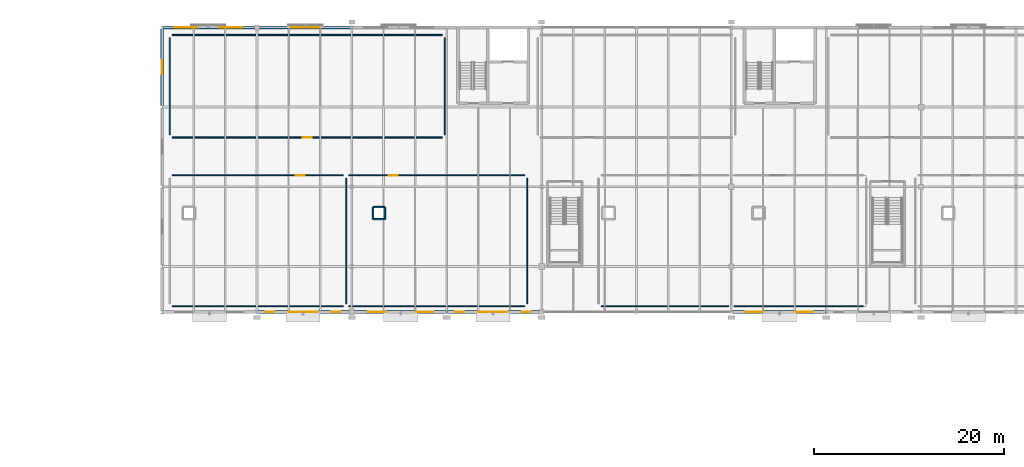
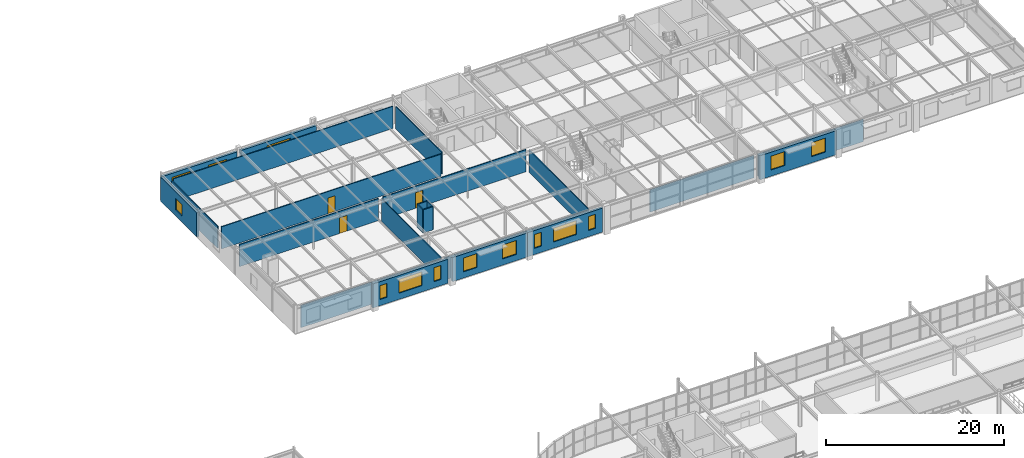
# One storey, part 79 of 98: 23 walls, 14 windows, 3 doors, 17 openings.
"""IFC4 building model written with IfcOpenShell, lengths in metres."""

from ifc_helpers import new_model, si_unit, derived_unit, direction, frame, frame_2d, origin, place, context, subcontext, project, spatial, rectangle, extrude, material, layer, layer_set, type_object, element, fill, save


model = new_model("IFC4")

# Units and contexts
model_context = context("Model", 3, precision=1e-05, world=origin(), true_north=direction((0.0, 1.0)))
body_context = subcontext(model_context, "Body", "Model", "MODEL_VIEW")
ifc_project = project(units=[si_unit("LENGTHUNIT", "METRE"), si_unit("AREAUNIT", "SQUARE_METRE"), si_unit("VOLUMEUNIT", "CUBIC_METRE"), si_unit("PLANEANGLEUNIT", "RADIAN"), si_unit("MASSUNIT", "GRAM", prefix="KILO"), derived_unit("THERMALTRANSMITTANCEUNIT", [(si_unit("POWERUNIT", "WATT"), 1), (si_unit("LENGTHUNIT", "METRE"), -2), (si_unit("THERMODYNAMICTEMPERATUREUNIT", "KELVIN"), -1)])], contexts=[model_context])

# Site, building, storey
site_placement = place(None, origin())
site = spatial("IfcSite", under=ifc_project, at=site_placement, CompositionType="ELEMENT")
building_placement = place(site_placement, origin())
building = spatial("IfcBuilding", under=site, at=building_placement, Name="Cinnabar Yard Market Hall", CompositionType="ELEMENT")
storey_placement = place(building_placement, frame((0.0, 0.0, 4.5)))
storey = spatial("IfcBuildingStorey", under=building, at=storey_placement, Name="L01", CompositionType="ELEMENT", Elevation=4.5)

# Walls
ifc_material_1 = material(Name="Acoustic steel-stud plasterboard", Category="steel")
ifc_layer_1 = layer(ifc_material_1, 0.1201171875)
ifc_layer_set_1 = layer_set([ifc_layer_1], Name="Acoustic steel-stud plasterboard")
wall_type_1 = type_object("IfcWallType", Name="WL-PT120", PredefinedType="PARTITIONING", material=ifc_layer_set_1)
wall_1_placement = place(storey_placement, frame((67.080078125, 108.60009765625, 0.0), z_axis=(0.0, 0.0, 1.0), x_axis=(1.0, 0.0, 0.0)))
element("IfcWall", 1, at=wall_1_placement, inside=storey, type_object=wall_type_1, Name="Partition Chocolate and Confectionery Studio 101 south", PredefinedType="PARTITIONING", context=body_context, shape_type="SweptSolid", body=[
    extrude(rectangle(XDim=18.0400390625, YDim=0.1201171875, at=frame_2d((9.02001953125, 0.0), x_axis=(1.0, 0.0))), origin(), (0.0, 0.0, 1.0), 3.030029296875),
])
wall_2_placement = place(storey_placement, frame((85.39990234375, 108.8798828125, 0.0), z_axis=(0.0, 0.0, 1.0), x_axis=(0.0, 1.0, 0.0)))
element("IfcWall", 2, at=wall_2_placement, inside=storey, type_object=wall_type_1, Name="Partition Chocolate and Confectionery Studio 101 east", PredefinedType="PARTITIONING", context=body_context, shape_type="SweptSolid", body=[
    extrude(rectangle(XDim=13.240234375, YDim=0.1201171875, at=frame_2d((6.6201171875, 0.0), x_axis=(1.0, 0.0))), origin(), (0.0, 0.0, 1.0), 3.030029296875),
])

# Wall, opening, door
wall_3_placement = place(storey_placement, frame((85.1201171875, 122.39990234375, 0.0), z_axis=(0.0, 0.0, 1.0), x_axis=(-1.0, 0.0, 0.0)))
wall_3 = element("IfcWall", 3, at=wall_3_placement, inside=storey, type_object=wall_type_1, Name="Partition Chocolate and Confectionery Studio 101 north", PredefinedType="PARTITIONING", context=body_context, shape_type="SweptSolid", body=[
    extrude(rectangle(XDim=18.0400390625, YDim=0.1201171875, at=frame_2d((9.02001953125, 0.0), x_axis=(1.0, 0.0))), origin(), (0.0, 0.0, 1.0), 3.030029296875),
])
opening_1_placement = place(wall_3_placement, frame((4.1015625, 0.0, 0.0)))
opening_1 = element("IfcOpeningElement", 4, at=opening_1_placement, cuts=wall_3, Name="Opening ID-152", PredefinedType="OPENING", context=body_context, shape_type="SweptSolid", body=[
    extrude(rectangle(XDim=0.949951171875, YDim=2.14990234375, at=frame_2d((0.47509765625, 1.074951171875), x_axis=(1.0, 0.0))), frame((0.0, 0.070068359375, 0.0), z_axis=(0.0, -1.0, 0.0), x_axis=(1.0, 0.0, 0.0)), (0.0, 0.0, 1.0), 0.14013671875),
])
ifc_material_2 = material(Name="Solid-core spotted gum timber", Category="wood")
door_type_1 = type_object("IfcDoorType", Name="DR-D06", OperationType="NOTDEFINED", PredefinedType="DOOR", material=ifc_material_2)
door_1_placement = place(opening_1_placement, origin())
door_1 = element("IfcDoor", 5, at=door_1_placement, inside=storey, type_object=door_type_1, Name="Interior Door ID-152", OperationType="SINGLE_SWING_LEFT", OverallHeight=2.14990234375, OverallWidth=0.949951171875, PredefinedType="DOOR", context=body_context, shape_type="SweptSolid", body=[
    extrude(rectangle(XDim=0.949951171875, YDim=2.14990234375, at=frame_2d((0.47509765625, 1.074951171875), x_axis=(1.0, 0.0))), frame((0.0, 0.02490234375, 0.0), z_axis=(0.0, -1.0, 0.0), x_axis=(1.0, 0.0, 0.0)), (0.0, 0.0, 1.0), 0.050048828125),
])
fill(opening_1, door_1)

# Walls
wall_4_placement = place(storey_placement, frame((85.679931640625, 108.60009765625, 0.0), z_axis=(0.0, 0.0, 1.0), x_axis=(1.0, 0.0, 0.0)))
element("IfcWall", 6, at=wall_4_placement, inside=storey, type_object=wall_type_1, Name="Partition Artisan Cheese Ripening Studio 102 south", PredefinedType="PARTITIONING", context=body_context, shape_type="SweptSolid", body=[
    extrude(rectangle(XDim=18.5400390625, YDim=0.1201171875, at=frame_2d((9.27001953125, 0.0), x_axis=(1.0, 0.0))), origin(), (0.0, 0.0, 1.0), 3.030029296875),
])
wall_5_placement = place(storey_placement, frame((104.5, 108.8798828125, 0.0), z_axis=(0.0, 0.0, 1.0), x_axis=(0.0, 1.0, 0.0)))
element("IfcWall", 7, at=wall_5_placement, inside=storey, type_object=wall_type_1, Name="Partition Artisan Cheese Ripening Studio 102 east", PredefinedType="PARTITIONING", context=body_context, shape_type="SweptSolid", body=[
    extrude(rectangle(XDim=13.240234375, YDim=0.1201171875, at=frame_2d((6.6201171875, 0.0), x_axis=(1.0, 0.0))), origin(), (0.0, 0.0, 1.0), 3.030029296875),
])

# Wall, opening, door
wall_6_placement = place(storey_placement, frame((104.219970703125, 122.39990234375, 0.0), z_axis=(0.0, 0.0, 1.0), x_axis=(-1.0, 0.0, 0.0)))
wall_6 = element("IfcWall", 8, at=wall_6_placement, inside=storey, type_object=wall_type_1, Name="Partition Artisan Cheese Ripening Studio 102 north", PredefinedType="PARTITIONING", context=body_context, shape_type="SweptSolid", body=[
    extrude(rectangle(XDim=18.5400390625, YDim=0.1201171875, at=frame_2d((9.27001953125, 0.0), x_axis=(1.0, 0.0))), origin(), (0.0, 0.0, 1.0), 3.030029296875),
])
opening_2_placement = place(wall_6_placement, frame((13.39111328125, 0.0, 0.0)))
opening_2 = element("IfcOpeningElement", 9, at=opening_2_placement, cuts=wall_6, Name="Opening ID-153", PredefinedType="OPENING", context=body_context, shape_type="SweptSolid", body=[
    extrude(rectangle(XDim=0.919921875, YDim=2.14990234375, at=frame_2d((0.4599609375, 1.074951171875), x_axis=(1.0, 0.0))), frame((0.0, 0.070068359375, 0.0), z_axis=(0.0, -1.0, 0.0), x_axis=(1.0, 0.0, 0.0)), (0.0, 0.0, 1.0), 0.14013671875),
])
door_type_2 = type_object("IfcDoorType", Name="DR-D07", OperationType="NOTDEFINED", PredefinedType="DOOR", material=ifc_material_2)
door_2_placement = place(opening_2_placement, origin())
door_2 = element("IfcDoor", 10, at=door_2_placement, inside=storey, type_object=door_type_2, Name="Interior Door ID-153", OperationType="SINGLE_SWING_RIGHT", OverallHeight=2.14990234375, OverallWidth=0.919921875, PredefinedType="DOOR", context=body_context, shape_type="SweptSolid", body=[
    extrude(rectangle(XDim=0.919921875, YDim=2.14990234375, at=frame_2d((0.4599609375, 1.074951171875), x_axis=(1.0, 0.0))), frame((0.0, 0.02490234375, 0.0), z_axis=(0.0, -1.0, 0.0), x_axis=(1.0, 0.0, 0.0)), (0.0, 0.0, 1.0), 0.050048828125),
])
fill(opening_2, door_2)

# Walls
wall_7_placement = place(storey_placement, frame((112.280029296875, 108.60009765625, 0.0), z_axis=(0.0, 0.0, 1.0), x_axis=(1.0, 0.0, 0.0)))
element("IfcWall", 11, at=wall_7_placement, inside=storey, type_object=wall_type_1, Name="Partition Charcuterie Craft Studio 103 south", PredefinedType="PARTITIONING", context=body_context, shape_type="SweptSolid", body=[
    extrude(rectangle(XDim=13.43994140625, YDim=0.1201171875, at=frame_2d((6.719970703125, 0.0), x_axis=(1.0, 0.0))), origin(), (0.0, 0.0, 1.0), 3.030029296875),
])
wall_8_placement = place(storey_placement, frame((126.280029296875, 108.60009765625, 0.0), z_axis=(0.0, 0.0, 1.0), x_axis=(1.0, 0.0, 0.0)))
element("IfcWall", 12, at=wall_8_placement, inside=storey, type_object=wall_type_1, Name="Partition Regional Wine and Cider Tasting Room 104 south", PredefinedType="PARTITIONING", context=body_context, shape_type="SweptSolid", body=[
    extrude(rectangle(XDim=13.639892578125, YDim=0.1201171875, at=frame_2d((6.81982421875, 0.0), x_axis=(1.0, 0.0))), origin(), (0.0, 0.0, 1.0), 3.030029296875),
])

# Wall, opening, door
wall_9_placement = place(storey_placement, frame((67.080078125, 126.39990234375, 0.0), z_axis=(0.0, 0.0, 1.0), x_axis=(1.0, 0.0, 0.0)))
wall_9 = element("IfcWall", 13, at=wall_9_placement, inside=storey, type_object=wall_type_1, Name="Partition Trader Incubation Workshop 106 south", PredefinedType="PARTITIONING", context=body_context, shape_type="SweptSolid", body=[
    extrude(rectangle(XDim=28.43994140625, YDim=0.1201171875, at=frame_2d((14.219970703125, 0.0), x_axis=(1.0, 0.0))), origin(), (0.0, 0.0, 1.0), 3.030029296875),
])
opening_3_placement = place(wall_9_placement, frame((13.760009765625, 0.0, 0.0)))
opening_3 = element("IfcOpeningElement", 14, at=opening_3_placement, cuts=wall_9, Name="Opening ID-157", PredefinedType="OPENING", context=body_context, shape_type="SweptSolid", body=[
    extrude(rectangle(XDim=0.919921875, YDim=2.14990234375, at=frame_2d((0.4599609375, 1.074951171875), x_axis=(1.0, 0.0))), frame((0.0, 0.070068359375, 0.0), z_axis=(0.0, -1.0, 0.0), x_axis=(1.0, 0.0, 0.0)), (0.0, 0.0, 1.0), 0.14013671875),
])
door_3_placement = place(opening_3_placement, origin())
door_3 = element("IfcDoor", 15, at=door_3_placement, inside=storey, type_object=door_type_2, Name="Interior Door ID-157", OperationType="SINGLE_SWING_RIGHT", OverallHeight=2.14990234375, OverallWidth=0.919921875, PredefinedType="DOOR", context=body_context, shape_type="SweptSolid", body=[
    extrude(rectangle(XDim=0.919921875, YDim=2.14990234375, at=frame_2d((0.4599609375, 1.074951171875), x_axis=(1.0, 0.0))), frame((0.0, 0.02490234375, 0.0), z_axis=(0.0, -1.0, 0.0), x_axis=(1.0, 0.0, 0.0)), (0.0, 0.0, 1.0), 0.050048828125),
])
fill(opening_3, door_3)

# Walls
wall_10_placement = place(storey_placement, frame((95.800048828125, 126.679931640625, 0.0), z_axis=(0.0, 0.0, 1.0), x_axis=(0.0, 1.0, 0.0)))
element("IfcWall", 16, at=wall_10_placement, inside=storey, type_object=wall_type_1, Name="Partition Trader Incubation Workshop 106 east", PredefinedType="PARTITIONING", context=body_context, shape_type="SweptSolid", body=[
    extrude(rectangle(XDim=10.239990234375, YDim=0.1201171875, at=frame_2d((5.1201171875, 0.0), x_axis=(1.0, 0.0))), origin(), (0.0, 0.0, 1.0), 3.030029296875),
])
wall_11_placement = place(storey_placement, frame((95.52001953125, 137.199951171875, 0.0), z_axis=(0.0, 0.0, 1.0), x_axis=(-1.0, 0.0, 0.0)))
element("IfcWall", 17, at=wall_11_placement, inside=storey, type_object=wall_type_1, Name="Partition Trader Incubation Workshop 106 north", PredefinedType="PARTITIONING", context=body_context, shape_type="SweptSolid", body=[
    extrude(rectangle(XDim=28.43994140625, YDim=0.1201171875, at=frame_2d((14.219970703125, 0.0), x_axis=(1.0, 0.0))), origin(), (0.0, 0.0, 1.0), 3.030029296875),
])
wall_12_placement = place(storey_placement, frame((66.800048828125, 136.919921875, 0.0), z_axis=(0.0, 0.0, 1.0), x_axis=(0.0, -1.0, 0.0)))
element("IfcWall", 18, at=wall_12_placement, inside=storey, type_object=wall_type_1, Name="Partition Trader Incubation Workshop 106 west", PredefinedType="PARTITIONING", context=body_context, shape_type="SweptSolid", body=[
    extrude(rectangle(XDim=10.239990234375, YDim=0.1201171875, at=frame_2d((5.1201171875, 0.0), x_axis=(1.0, 0.0))), origin(), (0.0, 0.0, 1.0), 3.030029296875),
])
ifc_material_3 = material(Name="Fire-rated steel-stud plasterboard", Category="steel")
ifc_layer_2 = layer(ifc_material_3, 0.14990234375)
ifc_layer_set_2 = layer_set([ifc_layer_2], Name="Fire-rated steel-stud plasterboard")
wall_type_2 = type_object("IfcWallType", Name="WL-PT150", PredefinedType="PARTITIONING", material=ifc_layer_set_2)
for number, where, z_axis, x_axis, name in (
    (19, (88.239990234375, 117.800048828125, 0.0), (0.0, 0.0, 1.0), (1.0, 0.0, 0.0), "Service Shaft Wall L01-2-1"),
    (20, (89.489990234375, 117.800048828125, 0.0), (0.0, 0.0, 1.0), (0.0, 1.0, 0.0), "Service Shaft Wall L01-2-2"),
    (21, (89.489990234375, 119.050048828125, 0.0), (0.0, 0.0, 1.0), (-1.0, 0.0, 0.0), "Service Shaft Wall L01-2-3"),
    (22, (88.239990234375, 119.050048828125, 0.0), (0.0, 0.0, 1.0), (0.0, -1.0, 0.0), "Service Shaft Wall L01-2-4"),
):
    element("IfcWall", number, at=place(storey_placement, frame(where, z_axis=z_axis, x_axis=x_axis)), inside=storey, type_object=wall_type_2, Name=name, PredefinedType="PARTITIONING", context=body_context, shape_type="SweptSolid", body=[
        extrude(rectangle(XDim=1.25, YDim=0.14990234375, at=frame_2d((0.625, 0.0), x_axis=(1.0, 0.0))), origin(), (0.0, 0.0, 1.0), 3.169921875),
    ])

# Wall, openings, windows
ifc_material_4 = material(Name="Cream limestone and Concrete 32 MPa", Category="masonry")
ifc_layer_3 = layer(ifc_material_4, 0.320068359375)
ifc_layer_set_3 = layer_set([ifc_layer_3], Name="Cream limestone and Concrete 32 MPa")
wall_type_3 = type_object("IfcWallType", Name="WL-W-EXT2", PredefinedType="SOLIDWALL", material=ifc_layer_set_3)
wall_13_placement = place(storey_placement, frame((75.74609375, 138.0, 0.0), z_axis=(0.0, 0.0, 1.0), x_axis=(-1.0, 0.0, 0.0)))
wall_13 = element("IfcWall", 23, at=wall_13_placement, inside=storey, type_object=wall_type_3, Name="Wing North Wall L01 Bay 1", PredefinedType="SOLIDWALL", context=body_context, shape_type="SweptSolid", body=[
    extrude(rectangle(XDim=9.736083984375, YDim=0.320068359375, at=frame_2d((4.8681640625, 0.0), x_axis=(1.0, 0.0))), origin(), (0.0, 0.0, 1.0), 3.2900390625),
])
opening_4_placement = place(wall_13_placement, frame((1.300048828125, 0.0, 0.85009765625)))
opening_4 = element("IfcOpeningElement", 24, at=opening_4_placement, cuts=wall_13, Name="Opening W08", PredefinedType="OPENING", context=body_context, shape_type="SweptSolid", body=[
    extrude(rectangle(XDim=2.39990234375, YDim=1.89990234375, at=frame_2d((1.199951171875, 0.949951171875), x_axis=(1.0, 0.0))), frame((0.0, 0.169921875, 0.0), z_axis=(0.0, -1.0, 0.0), x_axis=(1.0, 0.0, 0.0)), (0.0, 0.0, 1.0), 0.340087890625),
])
opening_5_placement = place(wall_13_placement, frame((6.035888671875, 0.0, 0.85009765625)))
opening_5 = element("IfcOpeningElement", 25, at=opening_5_placement, cuts=wall_13, Name="Opening W08", PredefinedType="OPENING", context=body_context, shape_type="SweptSolid", body=[
    extrude(rectangle(XDim=2.39990234375, YDim=1.89990234375, at=frame_2d((1.199951171875, 0.949951171875), x_axis=(1.0, 0.0))), frame((0.0, 0.169921875, 0.0), z_axis=(0.0, -1.0, 0.0), x_axis=(1.0, 0.0, 0.0)), (0.0, 0.0, 1.0), 0.340087890625),
])
ifc_material_5 = material(Name="Low-E double glazing in bronze aluminium", Category="aluminium")
window_type_1 = type_object("IfcWindowType", Name="WN-W08", PartitioningType="SINGLE_PANEL", PredefinedType="WINDOW", material=ifc_material_5)
window_1_placement = place(opening_4_placement, origin())
window_1 = element("IfcWindow", 26, at=window_1_placement, inside=storey, type_object=window_type_1, Name="Window WN-V3N-L01-1A", OverallHeight=1.89990234375, OverallWidth=2.39990234375, PartitioningType="SINGLE_PANEL", PredefinedType="WINDOW", context=body_context, shape_type="SweptSolid", body=[
    extrude(rectangle(XDim=2.39990234375, YDim=1.89990234375, at=frame_2d((1.199951171875, 0.949951171875), x_axis=(1.0, 0.0))), frame((0.0, 0.030029296875, 0.0), z_axis=(0.0, -1.0, 0.0), x_axis=(1.0, 0.0, 0.0)), (0.0, 0.0, 1.0), 0.06005859375),
])
fill(opening_4, window_1)
window_2_placement = place(opening_5_placement, origin())
window_2 = element("IfcWindow", 27, at=window_2_placement, inside=storey, type_object=window_type_1, Name="Window WN-V3N-L01-1B", OverallHeight=1.89990234375, OverallWidth=2.39990234375, PartitioningType="SINGLE_PANEL", PredefinedType="WINDOW", context=body_context, shape_type="SweptSolid", body=[
    extrude(rectangle(XDim=2.39990234375, YDim=1.89990234375, at=frame_2d((1.199951171875, 0.949951171875), x_axis=(1.0, 0.0))), frame((0.0, 0.030029296875, 0.0), z_axis=(0.0, -1.0, 0.0), x_axis=(1.0, 0.0, 0.0)), (0.0, 0.0, 1.0), 0.06005859375),
])
fill(opening_5, window_2)

wall_14_placement = place(storey_placement, frame((76.010009765625, 108.0, 0.0), z_axis=(0.0, 0.0, 1.0), x_axis=(1.0, 0.0, 0.0)))
wall_14 = element("IfcWall", 28, at=wall_14_placement, inside=storey, type_object=wall_type_3, Name="Wing South Wall L01 Bay 2", PredefinedType="SOLIDWALL", context=body_context, shape_type="SweptSolid", body=[
    extrude(rectangle(XDim=9.68603515625, YDim=0.320068359375, at=frame_2d((4.843017578125, 0.0), x_axis=(1.0, 0.0))), origin(), (0.0, 0.0, 1.0), 3.2900390625),
])
opening_6_placement = place(wall_14_placement, frame((3.343017578125, 0.0, 0.85009765625)))
opening_6 = element("IfcOpeningElement", 29, at=opening_6_placement, cuts=wall_14, Name="Opening W09", PredefinedType="OPENING", context=body_context, shape_type="SweptSolid", body=[
    extrude(rectangle(XDim=3.0, YDim=1.89990234375, at=frame_2d((1.5, 0.949951171875), x_axis=(1.0, 0.0))), frame((0.0, 0.169921875, 0.0), z_axis=(0.0, -1.0, 0.0), x_axis=(1.0, 0.0, 0.0)), (0.0, 0.0, 1.0), 0.340087890625),
])
opening_7_placement = place(wall_14_placement, frame((0.89990234375, 0.0, 0.85009765625)))
opening_7 = element("IfcOpeningElement", 30, at=opening_7_placement, cuts=wall_14, Name="Opening W10", PredefinedType="OPENING", context=body_context, shape_type="SweptSolid", body=[
    extrude(rectangle(XDim=0.89990234375, YDim=1.89990234375, at=frame_2d((0.449951171875, 0.949951171875), x_axis=(1.0, 0.0))), frame((0.0, 0.169921875, 0.0), z_axis=(0.0, -1.0, 0.0), x_axis=(1.0, 0.0, 0.0)), (0.0, 0.0, 1.0), 0.340087890625),
])
opening_8_placement = place(wall_14_placement, frame((7.885986328125, 0.0, 0.85009765625)))
opening_8 = element("IfcOpeningElement", 31, at=opening_8_placement, cuts=wall_14, Name="Opening W10", PredefinedType="OPENING", context=body_context, shape_type="SweptSolid", body=[
    extrude(rectangle(XDim=0.89990234375, YDim=1.89990234375, at=frame_2d((0.449951171875, 0.949951171875), x_axis=(1.0, 0.0))), frame((0.0, 0.169921875, 0.0), z_axis=(0.0, -1.0, 0.0), x_axis=(1.0, 0.0, 0.0)), (0.0, 0.0, 1.0), 0.340087890625),
])
ifc_material_6 = material(Name="Solar-control double glazing in bronze aluminium", Category="aluminium")
window_type_2 = type_object("IfcWindowType", Name="WN-W09", PartitioningType="SINGLE_PANEL", PredefinedType="WINDOW", material=ifc_material_6)
window_3_placement = place(opening_6_placement, origin())
window_3 = element("IfcWindow", 32, at=window_3_placement, inside=storey, type_object=window_type_2, Name="Window WN-V3S-L01-2M", OverallHeight=1.89990234375, OverallWidth=3.0, PartitioningType="SINGLE_PANEL", PredefinedType="WINDOW", context=body_context, shape_type="SweptSolid", body=[
    extrude(rectangle(XDim=3.0, YDim=1.89990234375, at=frame_2d((1.5, 0.949951171875), x_axis=(1.0, 0.0))), frame((0.0, 0.030029296875, 0.0), z_axis=(0.0, -1.0, 0.0), x_axis=(1.0, 0.0, 0.0)), (0.0, 0.0, 1.0), 0.06005859375),
])
fill(opening_6, window_3)
ifc_material_7 = material(Name="Narrow Mughal lancet glazing in bronze aluminium", Category="aluminium")
window_type_3 = type_object("IfcWindowType", Name="WN-W10", PartitioningType="SINGLE_PANEL", PredefinedType="WINDOW", material=ifc_material_7)
window_4_placement = place(opening_7_placement, origin())
window_4 = element("IfcWindow", 33, at=window_4_placement, inside=storey, type_object=window_type_3, Name="Window WN-V3S-L01-2L", OverallHeight=1.89990234375, OverallWidth=0.89990234375, PartitioningType="SINGLE_PANEL", PredefinedType="WINDOW", context=body_context, shape_type="SweptSolid", body=[
    extrude(rectangle(XDim=0.89990234375, YDim=1.89990234375, at=frame_2d((0.449951171875, 0.949951171875), x_axis=(1.0, 0.0))), frame((0.0, 0.030029296875, 0.0), z_axis=(0.0, -1.0, 0.0), x_axis=(1.0, 0.0, 0.0)), (0.0, 0.0, 1.0), 0.06005859375),
])
fill(opening_7, window_4)
window_5_placement = place(opening_8_placement, origin())
window_5 = element("IfcWindow", 34, at=window_5_placement, inside=storey, type_object=window_type_3, Name="Window WN-V3S-L01-2R", OverallHeight=1.89990234375, OverallWidth=0.89990234375, PartitioningType="SINGLE_PANEL", PredefinedType="WINDOW", context=body_context, shape_type="SweptSolid", body=[
    extrude(rectangle(XDim=0.89990234375, YDim=1.89990234375, at=frame_2d((0.449951171875, 0.949951171875), x_axis=(1.0, 0.0))), frame((0.0, 0.030029296875, 0.0), z_axis=(0.0, -1.0, 0.0), x_axis=(1.0, 0.0, 0.0)), (0.0, 0.0, 1.0), 0.06005859375),
])
fill(opening_8, window_5)

# Wall, opening, window
wall_15_placement = place(storey_placement, frame((85.989990234375, 138.0, 0.0), z_axis=(0.0, 0.0, 1.0), x_axis=(-1.0, 0.0, 0.0)))
wall_15 = element("IfcWall", 35, at=wall_15_placement, inside=storey, type_object=wall_type_3, Name="Wing North Wall L01 Bay 2", PredefinedType="SOLIDWALL", context=body_context, shape_type="SweptSolid", body=[
    extrude(rectangle(XDim=9.736083984375, YDim=0.320068359375, at=frame_2d((4.8681640625, 0.0), x_axis=(1.0, 0.0))), origin(), (0.0, 0.0, 1.0), 3.2900390625),
])
opening_9_placement = place(wall_15_placement, frame((3.367919921875, 0.0, 0.85009765625)))
opening_9 = element("IfcOpeningElement", 36, at=opening_9_placement, cuts=wall_15, Name="Opening W09", PredefinedType="OPENING", context=body_context, shape_type="SweptSolid", body=[
    extrude(rectangle(XDim=3.0, YDim=1.89990234375, at=frame_2d((1.5, 0.949951171875), x_axis=(1.0, 0.0))), frame((0.0, 0.169921875, 0.0), z_axis=(0.0, -1.0, 0.0), x_axis=(1.0, 0.0, 0.0)), (0.0, 0.0, 1.0), 0.340087890625),
])
window_6_placement = place(opening_9_placement, origin())
window_6 = element("IfcWindow", 37, at=window_6_placement, inside=storey, type_object=window_type_2, Name="Window WN-V3N-L01-2M", OverallHeight=1.89990234375, OverallWidth=3.0, PartitioningType="SINGLE_PANEL", PredefinedType="WINDOW", context=body_context, shape_type="SweptSolid", body=[
    extrude(rectangle(XDim=3.0, YDim=1.89990234375, at=frame_2d((1.5, 0.949951171875), x_axis=(1.0, 0.0))), frame((0.0, 0.030029296875, 0.0), z_axis=(0.0, -1.0, 0.0), x_axis=(1.0, 0.0, 0.0)), (0.0, 0.0, 1.0), 0.06005859375),
])
fill(opening_9, window_6)

# Wall, openings, windows
wall_16_placement = place(storey_placement, frame((86.303955078125, 108.0, 0.0), z_axis=(0.0, 0.0, 1.0), x_axis=(1.0, 0.0, 0.0)))
wall_16 = element("IfcWall", 38, at=wall_16_placement, inside=storey, type_object=wall_type_3, Name="Wing South Wall L01 Bay 3", PredefinedType="SOLIDWALL", context=body_context, shape_type="SweptSolid", body=[
    extrude(rectangle(XDim=9.68603515625, YDim=0.320068359375, at=frame_2d((4.843017578125, 0.0), x_axis=(1.0, 0.0))), origin(), (0.0, 0.0, 1.0), 3.2900390625),
])
opening_10_placement = place(wall_16_placement, frame((1.39990234375, 0.0, 0.85009765625)))
opening_10 = element("IfcOpeningElement", 39, at=opening_10_placement, cuts=wall_16, Name="Opening W07", PredefinedType="OPENING", context=body_context, shape_type="SweptSolid", body=[
    extrude(rectangle(XDim=1.800048828125, YDim=1.89990234375, at=frame_2d((0.89990234375, 0.949951171875), x_axis=(1.0, 0.0))), frame((0.0, 0.169921875, 0.0), z_axis=(0.0, -1.0, 0.0), x_axis=(1.0, 0.0, 0.0)), (0.0, 0.0, 1.0), 0.340087890625),
])
opening_11_placement = place(wall_16_placement, frame((6.486083984375, 0.0, 0.85009765625)))
opening_11 = element("IfcOpeningElement", 40, at=opening_11_placement, cuts=wall_16, Name="Opening W07", PredefinedType="OPENING", context=body_context, shape_type="SweptSolid", body=[
    extrude(rectangle(XDim=1.800048828125, YDim=1.89990234375, at=frame_2d((0.89990234375, 0.949951171875), x_axis=(1.0, 0.0))), frame((0.0, 0.169921875, 0.0), z_axis=(0.0, -1.0, 0.0), x_axis=(1.0, 0.0, 0.0)), (0.0, 0.0, 1.0), 0.340087890625),
])
window_type_4 = type_object("IfcWindowType", Name="WN-W07", PartitioningType="SINGLE_PANEL", PredefinedType="WINDOW", material=ifc_material_5)
window_7_placement = place(opening_10_placement, origin())
window_7 = element("IfcWindow", 41, at=window_7_placement, inside=storey, type_object=window_type_4, Name="Window WN-V3S-L01-3A", OverallHeight=1.89990234375, OverallWidth=1.800048828125, PartitioningType="SINGLE_PANEL", PredefinedType="WINDOW", context=body_context, shape_type="SweptSolid", body=[
    extrude(rectangle(XDim=1.800048828125, YDim=1.89990234375, at=frame_2d((0.89990234375, 0.949951171875), x_axis=(1.0, 0.0))), frame((0.0, 0.030029296875, 0.0), z_axis=(0.0, -1.0, 0.0), x_axis=(1.0, 0.0, 0.0)), (0.0, 0.0, 1.0), 0.06005859375),
])
fill(opening_10, window_7)
window_8_placement = place(opening_11_placement, origin())
window_8 = element("IfcWindow", 42, at=window_8_placement, inside=storey, type_object=window_type_4, Name="Window WN-V3S-L01-3B", OverallHeight=1.89990234375, OverallWidth=1.800048828125, PartitioningType="SINGLE_PANEL", PredefinedType="WINDOW", context=body_context, shape_type="SweptSolid", body=[
    extrude(rectangle(XDim=1.800048828125, YDim=1.89990234375, at=frame_2d((0.89990234375, 0.949951171875), x_axis=(1.0, 0.0))), frame((0.0, 0.030029296875, 0.0), z_axis=(0.0, -1.0, 0.0), x_axis=(1.0, 0.0, 0.0)), (0.0, 0.0, 1.0), 0.06005859375),
])
fill(opening_11, window_8)

wall_17_placement = place(storey_placement, frame((96.010009765625, 108.0, 0.0), z_axis=(0.0, 0.0, 1.0), x_axis=(1.0, 0.0, 0.0)))
wall_17 = element("IfcWall", 43, at=wall_17_placement, inside=storey, type_object=wall_type_3, Name="Wing South Wall L01 Bay 4", PredefinedType="SOLIDWALL", context=body_context, shape_type="SweptSolid", body=[
    extrude(rectangle(XDim=9.736083984375, YDim=0.320068359375, at=frame_2d((4.8681640625, 0.0), x_axis=(1.0, 0.0))), origin(), (0.0, 0.0, 1.0), 3.2900390625),
])
opening_12_placement = place(wall_17_placement, frame((3.367919921875, 0.0, 0.85009765625)))
opening_12 = element("IfcOpeningElement", 44, at=opening_12_placement, cuts=wall_17, Name="Opening W09", PredefinedType="OPENING", context=body_context, shape_type="SweptSolid", body=[
    extrude(rectangle(XDim=3.0, YDim=1.89990234375, at=frame_2d((1.5, 0.949951171875), x_axis=(1.0, 0.0))), frame((0.0, 0.169921875, 0.0), z_axis=(0.0, -1.0, 0.0), x_axis=(1.0, 0.0, 0.0)), (0.0, 0.0, 1.0), 0.340087890625),
])
opening_13_placement = place(wall_17_placement, frame((0.89990234375, 0.0, 0.85009765625)))
opening_13 = element("IfcOpeningElement", 45, at=opening_13_placement, cuts=wall_17, Name="Opening W10", PredefinedType="OPENING", context=body_context, shape_type="SweptSolid", body=[
    extrude(rectangle(XDim=0.89990234375, YDim=1.89990234375, at=frame_2d((0.449951171875, 0.949951171875), x_axis=(1.0, 0.0))), frame((0.0, 0.169921875, 0.0), z_axis=(0.0, -1.0, 0.0), x_axis=(1.0, 0.0, 0.0)), (0.0, 0.0, 1.0), 0.340087890625),
])
opening_14_placement = place(wall_17_placement, frame((7.93603515625, 0.0, 0.85009765625)))
opening_14 = element("IfcOpeningElement", 46, at=opening_14_placement, cuts=wall_17, Name="Opening W10", PredefinedType="OPENING", context=body_context, shape_type="SweptSolid", body=[
    extrude(rectangle(XDim=0.89990234375, YDim=1.89990234375, at=frame_2d((0.449951171875, 0.949951171875), x_axis=(1.0, 0.0))), frame((0.0, 0.169921875, 0.0), z_axis=(0.0, -1.0, 0.0), x_axis=(1.0, 0.0, 0.0)), (0.0, 0.0, 1.0), 0.340087890625),
])
window_9_placement = place(opening_12_placement, origin())
window_9 = element("IfcWindow", 47, at=window_9_placement, inside=storey, type_object=window_type_2, Name="Window WN-V3S-L01-4M", OverallHeight=1.89990234375, OverallWidth=3.0, PartitioningType="SINGLE_PANEL", PredefinedType="WINDOW", context=body_context, shape_type="SweptSolid", body=[
    extrude(rectangle(XDim=3.0, YDim=1.89990234375, at=frame_2d((1.5, 0.949951171875), x_axis=(1.0, 0.0))), frame((0.0, 0.030029296875, 0.0), z_axis=(0.0, -1.0, 0.0), x_axis=(1.0, 0.0, 0.0)), (0.0, 0.0, 1.0), 0.06005859375),
])
fill(opening_12, window_9)
window_10_placement = place(opening_13_placement, origin())
window_10 = element("IfcWindow", 48, at=window_10_placement, inside=storey, type_object=window_type_3, Name="Window WN-V3S-L01-4L", OverallHeight=1.89990234375, OverallWidth=0.89990234375, PartitioningType="SINGLE_PANEL", PredefinedType="WINDOW", context=body_context, shape_type="SweptSolid", body=[
    extrude(rectangle(XDim=0.89990234375, YDim=1.89990234375, at=frame_2d((0.449951171875, 0.949951171875), x_axis=(1.0, 0.0))), frame((0.0, 0.030029296875, 0.0), z_axis=(0.0, -1.0, 0.0), x_axis=(1.0, 0.0, 0.0)), (0.0, 0.0, 1.0), 0.06005859375),
])
fill(opening_13, window_10)
window_11_placement = place(opening_14_placement, origin())
window_11 = element("IfcWindow", 49, at=window_11_placement, inside=storey, type_object=window_type_3, Name="Window WN-V3S-L01-4R", OverallHeight=1.89990234375, OverallWidth=0.89990234375, PartitioningType="SINGLE_PANEL", PredefinedType="WINDOW", context=body_context, shape_type="SweptSolid", body=[
    extrude(rectangle(XDim=0.89990234375, YDim=1.89990234375, at=frame_2d((0.449951171875, 0.949951171875), x_axis=(1.0, 0.0))), frame((0.0, 0.030029296875, 0.0), z_axis=(0.0, -1.0, 0.0), x_axis=(1.0, 0.0, 0.0)), (0.0, 0.0, 1.0), 0.06005859375),
])
fill(opening_14, window_11)

wall_18_placement = place(storey_placement, frame((126.130615234375, 108.0, 0.0), z_axis=(0.0, 0.0, 1.0), x_axis=(1.0, 0.0, 0.0)))
wall_18 = element("IfcWall", 50, at=wall_18_placement, inside=storey, type_object=wall_type_3, Name="Wing South Wall L01 Bay 7", PredefinedType="SOLIDWALL", context=body_context, shape_type="SweptSolid", body=[
    extrude(rectangle(XDim=9.859375, YDim=0.320068359375, at=frame_2d((4.9296875, 0.0), x_axis=(1.0, 0.0))), origin(), (0.0, 0.0, 1.0), 3.2900390625),
])
opening_15_placement = place(wall_18_placement, frame((1.39990234375, 0.0, 0.85009765625)))
opening_15 = element("IfcOpeningElement", 51, at=opening_15_placement, cuts=wall_18, Name="Opening W07", PredefinedType="OPENING", context=body_context, shape_type="SweptSolid", body=[
    extrude(rectangle(XDim=1.800048828125, YDim=1.89990234375, at=frame_2d((0.89990234375, 0.949951171875), x_axis=(1.0, 0.0))), frame((0.0, 0.169921875, 0.0), z_axis=(0.0, -1.0, 0.0), x_axis=(1.0, 0.0, 0.0)), (0.0, 0.0, 1.0), 0.340087890625),
])
opening_16_placement = place(wall_18_placement, frame((6.659423828125, 0.0, 0.85009765625)))
opening_16 = element("IfcOpeningElement", 52, at=opening_16_placement, cuts=wall_18, Name="Opening W07", PredefinedType="OPENING", context=body_context, shape_type="SweptSolid", body=[
    extrude(rectangle(XDim=1.800048828125, YDim=1.89990234375, at=frame_2d((0.89990234375, 0.949951171875), x_axis=(1.0, 0.0))), frame((0.0, 0.169921875, 0.0), z_axis=(0.0, -1.0, 0.0), x_axis=(1.0, 0.0, 0.0)), (0.0, 0.0, 1.0), 0.340087890625),
])
window_12_placement = place(opening_15_placement, origin())
window_12 = element("IfcWindow", 53, at=window_12_placement, inside=storey, type_object=window_type_4, Name="Window WN-V3S-L01-7A", OverallHeight=1.89990234375, OverallWidth=1.800048828125, PartitioningType="SINGLE_PANEL", PredefinedType="WINDOW", context=body_context, shape_type="SweptSolid", body=[
    extrude(rectangle(XDim=1.800048828125, YDim=1.89990234375, at=frame_2d((0.89990234375, 0.949951171875), x_axis=(1.0, 0.0))), frame((0.0, 0.030029296875, 0.0), z_axis=(0.0, -1.0, 0.0), x_axis=(1.0, 0.0, 0.0)), (0.0, 0.0, 1.0), 0.06005859375),
])
fill(opening_15, window_12)
window_13_placement = place(opening_16_placement, origin())
window_13 = element("IfcWindow", 54, at=window_13_placement, inside=storey, type_object=window_type_4, Name="Window WN-V3S-L01-7B", OverallHeight=1.89990234375, OverallWidth=1.800048828125, PartitioningType="SINGLE_PANEL", PredefinedType="WINDOW", context=body_context, shape_type="SweptSolid", body=[
    extrude(rectangle(XDim=1.800048828125, YDim=1.89990234375, at=frame_2d((0.89990234375, 0.949951171875), x_axis=(1.0, 0.0))), frame((0.0, 0.030029296875, 0.0), z_axis=(0.0, -1.0, 0.0), x_axis=(1.0, 0.0, 0.0)), (0.0, 0.0, 1.0), 0.06005859375),
])
fill(opening_16, window_13)

# Wall, opening, window
wall_19_placement = place(storey_placement, frame((66.0, 137.844970703125, 0.0), z_axis=(0.0, 0.0, 1.0), x_axis=(0.0, -1.0, 0.0)))
wall_19 = element("IfcWall", 55, at=wall_19_placement, inside=storey, type_object=wall_type_3, Name="Wing West End Wall L01 Seg 4", PredefinedType="SOLIDWALL", context=body_context, shape_type="SweptSolid", body=[
    extrude(rectangle(XDim=8.0869140625, YDim=0.320068359375, at=frame_2d((4.04345703125, 0.0), x_axis=(1.0, 0.0))), origin(), (0.0, 0.0, 1.0), 3.2900390625),
])
opening_17_placement = place(wall_19_placement, frame((3.29345703125, 0.0, 0.85009765625)))
opening_17 = element("IfcOpeningElement", 56, at=opening_17_placement, cuts=wall_19, Name="Opening W03", PredefinedType="OPENING", context=body_context, shape_type="SweptSolid", body=[
    extrude(rectangle(XDim=1.5, YDim=1.60009765625, at=frame_2d((0.75, 0.800048828125), x_axis=(1.0, 0.0))), frame((0.0, 0.169921875, 0.0), z_axis=(0.0, -1.0, 0.0), x_axis=(1.0, 0.0, 0.0)), (0.0, 0.0, 1.0), 0.340087890625),
])
window_type_5 = type_object("IfcWindowType", Name="WN-W03", PartitioningType="SINGLE_PANEL", PredefinedType="WINDOW", material=ifc_material_5)
window_14_placement = place(opening_17_placement, origin())
window_14 = element("IfcWindow", 57, at=window_14_placement, inside=storey, type_object=window_type_5, Name="Window WN-V3W-L01-4", OverallHeight=1.60009765625, OverallWidth=1.5, PartitioningType="SINGLE_PANEL", PredefinedType="WINDOW", context=body_context, shape_type="SweptSolid", body=[
    extrude(rectangle(XDim=1.5, YDim=1.60009765625, at=frame_2d((0.75, 0.800048828125), x_axis=(1.0, 0.0))), frame((0.0, 0.030029296875, 0.0), z_axis=(0.0, -1.0, 0.0), x_axis=(1.0, 0.0, 0.0)), (0.0, 0.0, 1.0), 0.06005859375),
])
fill(opening_17, window_14)

save(model, "model.ifc")
